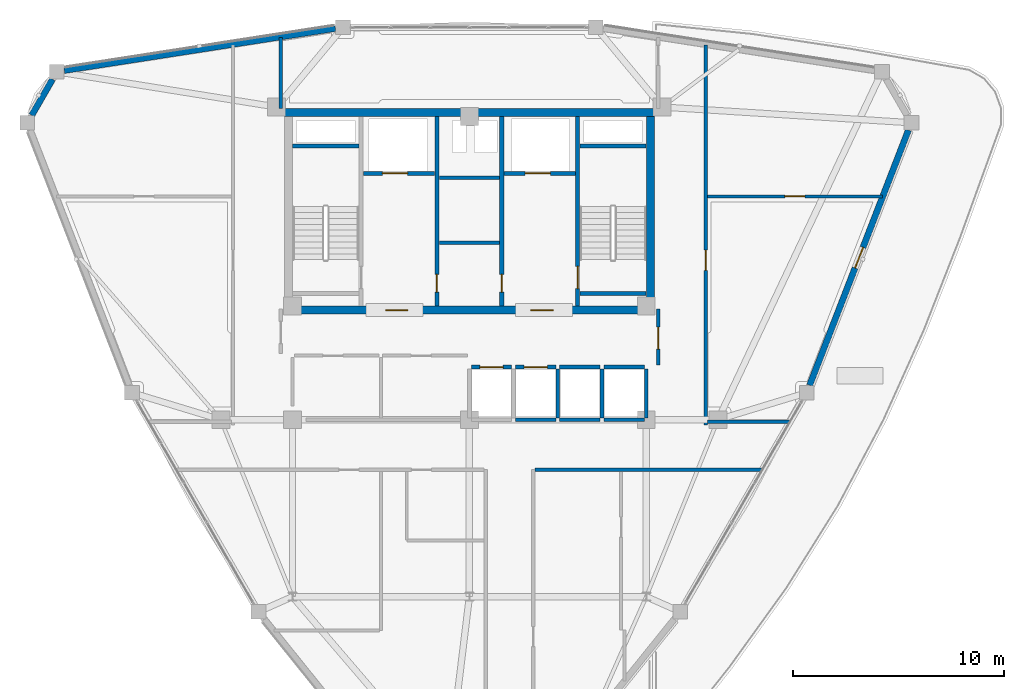
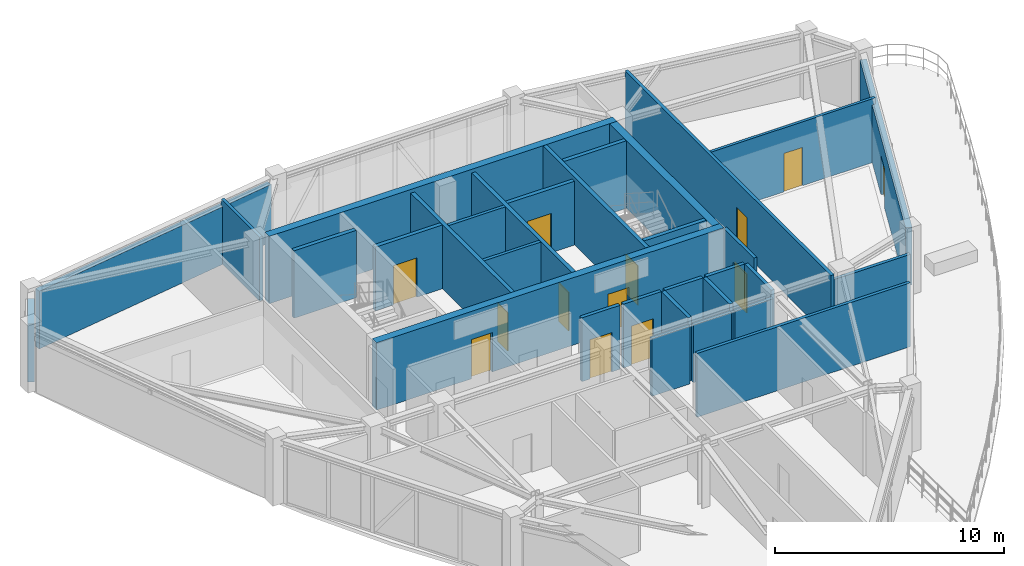
# One storey, part 12 of 16: 32 walls, 13 doors, 13 openings.
"""IFC4 building model written with IfcOpenShell, lengths in metres."""

from ifc_helpers import new_model, si_unit, derived_unit, direction, frame, frame_2d, origin, place, context, subcontext, project, spatial, rectangle, extrude, material, layer, layer_set, type_object, element, fill, save


model = new_model("IFC4")

# Units and contexts
model_context = context("Model", 3, precision=1e-05, world=origin(), true_north=direction((0.0, 1.0)))
body_context = subcontext(model_context, "Body", "Model", "MODEL_VIEW")
ifc_project = project(units=[si_unit("LENGTHUNIT", "METRE"), si_unit("AREAUNIT", "SQUARE_METRE"), si_unit("VOLUMEUNIT", "CUBIC_METRE"), si_unit("PLANEANGLEUNIT", "RADIAN"), si_unit("MASSUNIT", "GRAM", prefix="KILO"), derived_unit("THERMALTRANSMITTANCEUNIT", [(si_unit("POWERUNIT", "WATT"), 1), (si_unit("LENGTHUNIT", "METRE"), -2), (si_unit("THERMODYNAMICTEMPERATUREUNIT", "KELVIN"), -1)])], contexts=[model_context])

# Site, building, storey
site_placement = place(None, origin())
site = spatial("IfcSite", under=ifc_project, at=site_placement, CompositionType="ELEMENT")
building_placement = place(site_placement, origin())
building = spatial("IfcBuilding", under=site, at=building_placement, Name="Korsvarv Bourse and Concert Hall", CompositionType="ELEMENT")
storey_placement = place(building_placement, frame((0.0, 0.0, 243.0)))
storey = spatial("IfcBuildingStorey", under=building, at=storey_placement, Name="L63", CompositionType="ELEMENT", Elevation=243.0)

# Wall
ifc_material_1 = material(Name="Concrete C50/60", Category="concrete")
ifc_layer_1 = layer(ifc_material_1, 0.3798828125)
ifc_layer_set_1 = layer_set([ifc_layer_1], Name="Concrete C50/60")
wall_type_1 = type_object("IfcWallType", Name="WL-CORE-380", PredefinedType="SHEAR", material=ifc_layer_set_1)
wall_1_placement = place(storey_placement, frame((27.219970703125, 46.989990234375, 0.0), z_axis=(0.0, 0.0, 1.0), x_axis=(1.0, 0.0, 0.0)))
element("IfcWall", 1, at=wall_1_placement, inside=storey, type_object=wall_type_1, Name="L63 North Core Shear Wall", PredefinedType="SHEAR", context=body_context, shape_type="SweptSolid", body=[
    extrude(rectangle(XDim=17.56005859375, YDim=0.3798828125, at=frame_2d((8.780029296875, 0.0))), origin(), (0.0, 0.0, 1.0), 3.60009765625),
])

# Wall, openings, doors
wall_2_placement = place(storey_placement, frame((27.219970703125, 37.610107421875, 0.0), z_axis=(0.0, 0.0, 1.0), x_axis=(1.0, 0.0, 0.0)))
wall_2 = element("IfcWall", 2, at=wall_2_placement, inside=storey, type_object=wall_type_1, Name="L63 South Core Shear Wall", PredefinedType="SHEAR", context=body_context, shape_type="SweptSolid", body=[
    extrude(rectangle(XDim=17.56005859375, YDim=0.3798828125, at=frame_2d((8.780029296875, 0.0))), origin(), (0.0, 0.0, 1.0), 3.60009765625),
])
opening_1_placement = place(wall_2_placement, frame((4.804931640625, 0.0, 0.0)))
opening_1 = element("IfcOpeningElement", 3, at=opening_1_placement, cuts=wall_2, Name="Opening D-01", PredefinedType="OPENING", context=body_context, shape_type="SweptSolid", body=[
    extrude(rectangle(XDim=1.050048828125, YDim=2.10009765625, at=frame_2d((0.52490234375, 1.050048828125))), frame((0.0, 0.199951171875, 0.0), z_axis=(0.0, -1.0, 0.0), x_axis=(1.0, 0.0, 0.0)), (0.0, 0.0, 1.0), 0.39990234375),
])
opening_2_placement = place(wall_2_placement, frame((11.705078125, 0.0, 0.0)))
opening_2 = element("IfcOpeningElement", 4, at=opening_2_placement, cuts=wall_2, Name="Opening D-01", PredefinedType="OPENING", context=body_context, shape_type="SweptSolid", body=[
    extrude(rectangle(XDim=1.050048828125, YDim=2.10009765625, at=frame_2d((0.52490234375, 1.050048828125))), frame((0.0, 0.199951171875, 0.0), z_axis=(0.0, -1.0, 0.0), x_axis=(1.0, 0.0, 0.0)), (0.0, 0.0, 1.0), 0.39990234375),
])
ifc_material_2 = material(Name="Steel S355 fire door", Category="steel")
door_type_1 = type_object("IfcDoorType", Name="DR-FD60", OperationType="NOTDEFINED", PredefinedType="DOOR", material=ifc_material_2)
door_1_placement = place(opening_1_placement, frame((1.050048828125, 0.0, 0.0), z_axis=(0.0, 0.0, 1.0), x_axis=(-1.0, 0.0, 0.0)))
door_1 = element("IfcDoor", 5, at=door_1_placement, inside=storey, type_object=door_type_1, Name="L63 firefighting lobby fire door DR-L63-FFLW", OperationType="SINGLE_SWING_RIGHT", OverallHeight=2.10009765625, OverallWidth=1.050048828125, PredefinedType="DOOR", context=body_context, shape_type="SweptSolid", body=[
    extrude(rectangle(XDim=1.050048828125, YDim=2.10009765625, at=frame_2d((0.52490234375, 1.050048828125))), frame((0.0, 0.02490234375, 0.0), z_axis=(0.0, -1.0, 0.0), x_axis=(1.0, 0.0, 0.0)), (0.0, 0.0, 1.0), 0.050048828125),
])
fill(opening_1, door_1)
door_2_placement = place(opening_2_placement, frame((1.050048828125, 0.0, 0.0), z_axis=(0.0, 0.0, 1.0), x_axis=(-1.0, 0.0, 0.0)))
door_2 = element("IfcDoor", 6, at=door_2_placement, inside=storey, type_object=door_type_1, Name="L63 firefighting lobby fire door DR-L63-FFLE", OperationType="SINGLE_SWING_LEFT", OverallHeight=2.10009765625, OverallWidth=1.050048828125, PredefinedType="DOOR", context=body_context, shape_type="SweptSolid", body=[
    extrude(rectangle(XDim=1.050048828125, YDim=2.10009765625, at=frame_2d((0.52490234375, 1.050048828125))), frame((0.0, 0.02490234375, 0.0), z_axis=(0.0, -1.0, 0.0), x_axis=(1.0, 0.0, 0.0)), (0.0, 0.0, 1.0), 0.050048828125),
])
fill(opening_2, door_2)

# Walls
wall_3_placement = place(storey_placement, frame((44.590087890625, 37.800048828125, 0.0), z_axis=(0.0, 0.0, 1.0), x_axis=(0.0, 1.0, 0.0)))
element("IfcWall", 7, at=wall_3_placement, inside=storey, type_object=wall_type_1, Name="L63 East Core Shear Wall", PredefinedType="SHEAR", context=body_context, shape_type="SweptSolid", body=[
    extrude(rectangle(XDim=9.0, YDim=0.3798828125, at=frame_2d((4.5, 0.0))), origin(), (0.0, 0.0, 1.0), 3.60009765625),
])
wall_4_placement = place(storey_placement, frame((27.610107421875, 45.39990234375, 0.0), z_axis=(0.0, 0.0, 1.0), x_axis=(1.0, 0.0, 0.0)))
element("IfcWall", 8, at=wall_4_placement, inside=storey, type_object=wall_type_1, Name="L63 stair shaft structural wall W-L63-ST1-N", PredefinedType="SHEAR", context=body_context, shape_type="SweptSolid", body=[
    extrude(rectangle(XDim=3.139892578125, YDim=0.199951171875, at=frame_2d((1.56982421875, 0.0))), origin(), (0.0, 0.0, 1.0), 3.60009765625),
])

# Wall, opening, door
wall_5_placement = place(storey_placement, frame((41.139892578125, 37.81005859375, 0.0), z_axis=(0.0, 0.0, 1.0), x_axis=(0.0, 1.0, 0.0)))
wall_5 = element("IfcWall", 9, at=wall_5_placement, inside=storey, type_object=wall_type_1, Name="L63 stair shaft structural wall W-L63-ST2-W", PredefinedType="SHEAR", context=body_context, shape_type="SweptSolid", body=[
    extrude(rectangle(XDim=8.97998046875, YDim=0.199951171875, at=frame_2d((4.489990234375, 0.0))), origin(), (0.0, 0.0, 1.0), 3.60009765625),
])
opening_3_placement = place(wall_5_placement, frame((0.820068359375, 0.0, 0.0)))
opening_3 = element("IfcOpeningElement", 10, at=opening_3_placement, cuts=wall_5, Name="Opening D-01", PredefinedType="OPENING", context=body_context, shape_type="SweptSolid", body=[
    extrude(rectangle(XDim=1.050048828125, YDim=2.10009765625, at=frame_2d((0.52490234375, 1.050048828125))), frame((0.0, 0.10986328125, 0.0), z_axis=(0.0, -1.0, 0.0), x_axis=(1.0, 0.0, 0.0)), (0.0, 0.0, 1.0), 0.219970703125),
])
door_3_placement = place(opening_3_placement, frame((1.050048828125, 0.0, 0.0), z_axis=(0.0, 0.0, 1.0), x_axis=(-1.0, 0.0, 0.0)))
door_3 = element("IfcDoor", 11, at=door_3_placement, inside=storey, type_object=door_type_1, Name="L63 interior door DR-L63-ST2", OperationType="SINGLE_SWING_LEFT", OverallHeight=2.10009765625, OverallWidth=1.050048828125, PredefinedType="DOOR", context=body_context, shape_type="SweptSolid", body=[
    extrude(rectangle(XDim=1.050048828125, YDim=2.10009765625, at=frame_2d((0.52490234375, 1.050048828125))), frame((0.0, 0.02490234375, 0.0), z_axis=(0.0, -1.0, 0.0), x_axis=(1.0, 0.0, 0.0)), (0.0, 0.0, 1.0), 0.050048828125),
])
fill(opening_3, door_3)

# Walls
for number, where, z_axis, x_axis, name in (
    (12, (41.25, 45.39990234375, 0.0), (0.0, 0.0, 1.0), (1.0, 0.0, 0.0), "L63 stair shaft structural wall W-L63-ST2-N"),
    (13, (41.25, 38.39990234375, 0.0), (0.0, 0.0, 1.0), (1.0, 0.0, 0.0), "L63 stair shaft structural wall W-L63-ST2-S"),
):
    element("IfcWall", number, at=place(storey_placement, frame(where, z_axis=z_axis, x_axis=x_axis)), inside=storey, type_object=wall_type_1, Name=name, PredefinedType="SHEAR", context=body_context, shape_type="SweptSolid", body=[
        extrude(rectangle(XDim=3.139892578125, YDim=0.199951171875, at=frame_2d((1.56982421875, 0.0))), origin(), (0.0, 0.0, 1.0), 3.60009765625),
    ])
ifc_material_3 = material(Name="Precast concrete C45/55 with terracotta rainscreen", Category="concrete")
ifc_layer_2 = layer(ifc_material_3, 0.300048828125)
ifc_layer_set_2 = layer_set([ifc_layer_2], Name="Precast concrete C45/55 with terracotta rainscreen")
wall_type_2 = type_object("IfcWallType", Name="WL-EXT-TC1", PredefinedType="SOLIDWALL", material=ifc_layer_set_2)
wall_6_placement = place(storey_placement, frame((16.20458984375, 48.569091796875, 0.0), z_axis=(0.0, 0.0, 1.0), x_axis=(-0.499915072674, -0.866074431047, 0.0)))
element("IfcWall", 14, at=wall_6_placement, inside=storey, type_object=wall_type_2, Name="L63 terracotta exterior wall EW-L63-B05", PredefinedType="SOLIDWALL", context=body_context, shape_type="SweptSolid", body=[
    extrude(rectangle(XDim=1.974853515625, YDim=0.300048828125, at=frame_2d((0.9873046875, 0.0))), origin(), (0.0, 0.0, 1.0), 3.080078125),
])

# Wall, opening, door
wall_7_placement = place(storey_placement, frame((52.158447265625, 34.03857421875, 0.0), z_axis=(0.0, 0.0, 1.0), x_axis=(0.361269378379, 0.93246149317, 0.0)))
wall_7 = element("IfcWall", 15, at=wall_7_placement, inside=storey, type_object=wall_type_2, Name="L63 terracotta exterior wall EW-L63-B12", PredefinedType="SOLIDWALL", context=body_context, shape_type="SweptSolid", body=[
    extrude(rectangle(XDim=12.9873046875, YDim=0.300048828125, at=frame_2d((6.49365234375, 0.0))), origin(), (0.0, 0.0, 1.0), 3.080078125),
])
opening_4_placement = place(wall_7_placement, frame((5.968505859375, 0.0, 0.0)))
opening_4 = element("IfcOpeningElement", 16, at=opening_4_placement, cuts=wall_7, Name="Opening ED-02", PredefinedType="OPENING", context=body_context, shape_type="SweptSolid", body=[
    extrude(rectangle(XDim=1.050048828125, YDim=2.10009765625, at=frame_2d((0.52490234375, 1.050048828125))), frame((0.0, 0.16015625, 0.0), z_axis=(0.0, -1.0, 0.0), x_axis=(1.0, 0.0, 0.0)), (0.0, 0.0, 1.0), 0.320068359375),
])
ifc_material_4 = material(Name="Thermally broken anodised aluminium and laminated safety glass", Category="aluminium")
door_type_2 = type_object("IfcDoorType", Name="DR-EXT-TERR", OperationType="NOTDEFINED", PredefinedType="DOOR", material=ifc_material_4)
door_4_placement = place(opening_4_placement, frame((1.050048828125, 0.0, 0.0), z_axis=(0.0, 0.0, 1.0), x_axis=(-1.0, 0.0, 0.0)))
door_4 = element("IfcDoor", 17, at=door_4_placement, inside=storey, type_object=door_type_2, Name="L63 Sky Garden Terrace Access Door", OperationType="SINGLE_SWING_LEFT", OverallHeight=2.10009765625, OverallWidth=1.050048828125, PredefinedType="DOOR", context=body_context, shape_type="SweptSolid", body=[
    extrude(rectangle(XDim=1.050048828125, YDim=2.10009765625, at=frame_2d((0.52490234375, 1.050048828125))), frame((0.0, 0.02490234375, 0.0), z_axis=(0.0, -1.0, 0.0), x_axis=(1.0, 0.0, 0.0)), (0.0, 0.0, 1.0), 0.050048828125),
])
fill(opening_4, door_4)

# Wall
ifc_material_5 = material(Name="Precast concrete C45/55 with fluted terracotta pier", Category="concrete")
ifc_layer_3 = layer(ifc_material_5, 0.280029296875)
ifc_layer_set_3 = layer_set([ifc_layer_3], Name="Precast concrete C45/55 with fluted terracotta pier")
wall_type_3 = type_object("IfcWallType", Name="WL-EXT-TC2", PredefinedType="SOLIDWALL", material=ifc_layer_set_3)
wall_8_placement = place(storey_placement, frame((29.640625, 50.9775390625, 0.0), z_axis=(0.0, 0.0, 1.0), x_axis=(-0.988170476673, -0.153359411293, 0.0)))
element("IfcWall", 18, at=wall_8_placement, inside=storey, type_object=wall_type_3, Name="L63 terracotta exterior wall EW-L63-B04", PredefinedType="SOLIDWALL", context=body_context, shape_type="SweptSolid", body=[
    extrude(rectangle(XDim=13.030029296875, YDim=0.280029296875, at=frame_2d((6.51513671875, 0.0))), origin(), (0.0, 0.0, 1.0), 3.080078125),
])

# Wall, opening, door
ifc_material_6 = material(Name="Reinforced concrete blockwork C35/45 fire wall", Category="concrete")
ifc_layer_4 = layer(ifc_material_6, 0.199951171875)
ifc_layer_set_4 = layer_set([ifc_layer_4], Name="Reinforced concrete blockwork C35/45 fire wall")
wall_type_4 = type_object("IfcWallType", Name="WL-INT-EI120", PredefinedType="PARTITIONING", material=ifc_layer_set_4)
wall_9_placement = place(storey_placement, frame((30.969970703125, 44.10009765625, 0.0), z_axis=(0.0, 0.0, 1.0), x_axis=(1.0, 0.0, 0.0)))
wall_9 = element("IfcWall", 19, at=wall_9_placement, inside=storey, type_object=wall_type_4, Name="L63 interior partition wall W-L63-FF1-S", PredefinedType="PARTITIONING", context=body_context, shape_type="SweptSolid", body=[
    extrude(rectangle(XDim=3.380126953125, YDim=0.199951171875, at=frame_2d((1.68994140625, 0.0))), origin(), (0.0, 0.0, 1.0), 3.409912109375),
])
opening_5_placement = place(wall_9_placement, frame((0.89990234375, 0.0, 0.0)))
opening_5 = element("IfcOpeningElement", 20, at=opening_5_placement, cuts=wall_9, Name="Opening LD-1", PredefinedType="OPENING", context=body_context, shape_type="SweptSolid", body=[
    extrude(rectangle(XDim=1.199951171875, YDim=2.10009765625, at=frame_2d((0.60009765625, 1.050048828125))), frame((0.0, 0.10986328125, 0.0), z_axis=(0.0, -1.0, 0.0), x_axis=(1.0, 0.0, 0.0)), (0.0, 0.0, 1.0), 0.219970703125),
])
ifc_material_7 = material(Name="Stainless Steel S355 firefighting lift landing door", Category="steel")
door_type_3 = type_object("IfcDoorType", Name="DR-LIFT-FF", OperationType="DOUBLE_DOOR_SLIDING", PredefinedType="DOOR", material=ifc_material_7)
door_5_placement = place(opening_5_placement, origin())
door_5 = element("IfcDoor", 21, at=door_5_placement, inside=storey, type_object=door_type_3, Name="L63 lift sliding landing door LD-L63-FF1", OperationType="DOUBLE_DOOR_SLIDING", OverallHeight=2.10009765625, OverallWidth=1.199951171875, PredefinedType="DOOR", context=body_context, shape_type="SweptSolid", body=[
    extrude(rectangle(XDim=1.199951171875, YDim=2.10009765625, at=frame_2d((0.60009765625, 1.050048828125))), frame((0.0, 0.02490234375, 0.0), z_axis=(0.0, -1.0, 0.0), x_axis=(1.0, 0.0, 0.0)), (0.0, 0.0, 1.0), 0.050048828125),
])
fill(opening_5, door_5)

wall_10_placement = place(storey_placement, frame((37.64990234375, 44.10009765625, 0.0), z_axis=(0.0, 0.0, 1.0), x_axis=(1.0, 0.0, 0.0)))
wall_10 = element("IfcWall", 22, at=wall_10_placement, inside=storey, type_object=wall_type_4, Name="L63 interior partition wall W-L63-FF2-S", PredefinedType="PARTITIONING", context=body_context, shape_type="SweptSolid", body=[
    extrude(rectangle(XDim=3.380126953125, YDim=0.199951171875, at=frame_2d((1.68994140625, 0.0))), origin(), (0.0, 0.0, 1.0), 3.409912109375),
])
opening_6_placement = place(wall_10_placement, frame((1.0, 0.0, 0.0)))
opening_6 = element("IfcOpeningElement", 23, at=opening_6_placement, cuts=wall_10, Name="Opening LD-1", PredefinedType="OPENING", context=body_context, shape_type="SweptSolid", body=[
    extrude(rectangle(XDim=1.199951171875, YDim=2.10009765625, at=frame_2d((0.60009765625, 1.050048828125))), frame((0.0, 0.10986328125, 0.0), z_axis=(0.0, -1.0, 0.0), x_axis=(1.0, 0.0, 0.0)), (0.0, 0.0, 1.0), 0.219970703125),
])
door_6_placement = place(opening_6_placement, origin())
door_6 = element("IfcDoor", 24, at=door_6_placement, inside=storey, type_object=door_type_3, Name="L63 lift sliding landing door LD-L63-FF2", OperationType="DOUBLE_DOOR_SLIDING", OverallHeight=2.10009765625, OverallWidth=1.199951171875, PredefinedType="DOOR", context=body_context, shape_type="SweptSolid", body=[
    extrude(rectangle(XDim=1.199951171875, YDim=2.10009765625, at=frame_2d((0.60009765625, 1.050048828125))), frame((0.0, 0.02490234375, 0.0), z_axis=(0.0, -1.0, 0.0), x_axis=(1.0, 0.0, 0.0)), (0.0, 0.0, 1.0), 0.050048828125),
])
fill(opening_6, door_6)

wall_11_placement = place(storey_placement, frame((34.4599609375, 37.81005859375, 0.0), z_axis=(0.0, 0.0, 1.0), x_axis=(0.0, 1.0, 0.0)))
wall_11 = element("IfcWall", 25, at=wall_11_placement, inside=storey, type_object=wall_type_4, Name="L63 interior partition wall W-L63-CSB-W", PredefinedType="PARTITIONING", context=body_context, shape_type="SweptSolid", body=[
    extrude(rectangle(XDim=8.97998046875, YDim=0.199951171875, at=frame_2d((4.489990234375, 0.0))), origin(), (0.0, 0.0, 1.0), 3.409912109375),
])
opening_7_placement = place(wall_11_placement, frame((0.64990234375, 0.0, 0.0)))
opening_7 = element("IfcOpeningElement", 26, at=opening_7_placement, cuts=wall_11, Name="Opening D-05", PredefinedType="OPENING", context=body_context, shape_type="SweptSolid", body=[
    extrude(rectangle(XDim=0.85009765625, YDim=2.050048828125, at=frame_2d((0.425048828125, 1.02490234375))), frame((0.0, 0.10986328125, 0.0), z_axis=(0.0, -1.0, 0.0), x_axis=(1.0, 0.0, 0.0)), (0.0, 0.0, 1.0), 0.219970703125),
])
door_type_4 = type_object("IfcDoorType", Name="DR-FD60-850X2050", OperationType="NOTDEFINED", PredefinedType="DOOR", material=ifc_material_2)
door_7_placement = place(opening_7_placement, frame((0.85009765625, 0.0, 0.0), z_axis=(0.0, 0.0, 1.0), x_axis=(-1.0, 0.0, 0.0)))
door_7 = element("IfcDoor", 27, at=door_7_placement, inside=storey, type_object=door_type_4, Name="L63 interior door DR-L63-CSB1", OperationType="SINGLE_SWING_RIGHT", OverallHeight=2.050048828125, OverallWidth=0.85009765625, PredefinedType="DOOR", context=body_context, shape_type="SweptSolid", body=[
    extrude(rectangle(XDim=0.85009765625, YDim=2.050048828125, at=frame_2d((0.425048828125, 1.02490234375))), frame((0.0, 0.02490234375, 0.0), z_axis=(0.0, -1.0, 0.0), x_axis=(1.0, 0.0, 0.0)), (0.0, 0.0, 1.0), 0.050048828125),
])
fill(opening_7, door_7)

wall_12_placement = place(storey_placement, frame((37.5400390625, 37.81005859375, 0.0), z_axis=(0.0, 0.0, 1.0), x_axis=(0.0, 1.0, 0.0)))
wall_12 = element("IfcWall", 28, at=wall_12_placement, inside=storey, type_object=wall_type_4, Name="L63 interior partition wall W-L63-CSB-E", PredefinedType="PARTITIONING", context=body_context, shape_type="SweptSolid", body=[
    extrude(rectangle(XDim=8.97998046875, YDim=0.199951171875, at=frame_2d((4.489990234375, 0.0))), origin(), (0.0, 0.0, 1.0), 3.409912109375),
])
opening_8_placement = place(wall_12_placement, frame((0.64990234375, 0.0, 0.0)))
opening_8 = element("IfcOpeningElement", 29, at=opening_8_placement, cuts=wall_12, Name="Opening D-05", PredefinedType="OPENING", context=body_context, shape_type="SweptSolid", body=[
    extrude(rectangle(XDim=0.85009765625, YDim=2.050048828125, at=frame_2d((0.425048828125, 1.02490234375))), frame((0.0, 0.10986328125, 0.0), z_axis=(0.0, -1.0, 0.0), x_axis=(1.0, 0.0, 0.0)), (0.0, 0.0, 1.0), 0.219970703125),
])
door_8_placement = place(opening_8_placement, origin())
door_8 = element("IfcDoor", 30, at=door_8_placement, inside=storey, type_object=door_type_4, Name="L63 interior door DR-L63-CSB2", OperationType="SINGLE_SWING_LEFT", OverallHeight=2.050048828125, OverallWidth=0.85009765625, PredefinedType="DOOR", context=body_context, shape_type="SweptSolid", body=[
    extrude(rectangle(XDim=0.85009765625, YDim=2.050048828125, at=frame_2d((0.425048828125, 1.02490234375))), frame((0.0, 0.02490234375, 0.0), z_axis=(0.0, -1.0, 0.0), x_axis=(1.0, 0.0, 0.0)), (0.0, 0.0, 1.0), 0.050048828125),
])
fill(opening_8, door_8)

# Walls
ifc_material_8 = material(Name="Double-stud fire-rated acoustic partition", Category="gypsum")
ifc_layer_5 = layer(ifc_material_8, 0.159912109375)
ifc_layer_set_5 = layer_set([ifc_layer_5], Name="Double-stud fire-rated acoustic partition")
wall_type_5 = type_object("IfcWallType", Name="WL-INT-EI60", PredefinedType="PARTITIONING", material=ifc_layer_set_5)
for number, where, z_axis, x_axis, name in (
    (31, (34.570068359375, 40.800048828125, 0.0), (0.0, 0.0, 1.0), (1.0, 0.0, 0.0), "L63 interior partition wall W-L63-K1"),
    (32, (34.570068359375, 43.89990234375, 0.0), (0.0, 0.0, 1.0), (1.0, 0.0, 0.0), "L63 interior partition wall W-L63-K2"),
):
    element("IfcWall", number, at=place(storey_placement, frame(where, z_axis=z_axis, x_axis=x_axis)), inside=storey, type_object=wall_type_5, Name=name, PredefinedType="PARTITIONING", context=body_context, shape_type="SweptSolid", body=[
        extrude(rectangle(XDim=2.85986328125, YDim=0.159912109375, at=frame_2d((1.429931640625, 0.0))), origin(), (0.0, 0.0, 1.0), 3.409912109375),
    ])

# Wall, opening, door
wall_13_placement = place(storey_placement, frame((44.9599609375, 35.0, 0.0), z_axis=(0.0, 0.0, 1.0), x_axis=(0.0, 1.0, 0.0)))
wall_13 = element("IfcWall", 33, at=wall_13_placement, inside=storey, type_object=wall_type_5, Name="L63 interior partition wall W-L63-LOB-E", PredefinedType="PARTITIONING", context=body_context, shape_type="SweptSolid", body=[
    extrude(rectangle(XDim=2.64990234375, YDim=0.159912109375, at=frame_2d((1.324951171875, 0.0))), origin(), (0.0, 0.0, 1.0), 3.409912109375),
])
opening_9_placement = place(wall_13_placement, frame((0.75, 0.0, 0.0)))
opening_9 = element("IfcOpeningElement", 34, at=opening_9_placement, cuts=wall_13, Name="Opening D-01", PredefinedType="OPENING", context=body_context, shape_type="SweptSolid", body=[
    extrude(rectangle(XDim=1.050048828125, YDim=2.10009765625, at=frame_2d((0.52490234375, 1.050048828125))), frame((0.0, 0.08984375, 0.0), z_axis=(0.0, -1.0, 0.0), x_axis=(1.0, 0.0, 0.0)), (0.0, 0.0, 1.0), 0.179931640625),
])
door_9_placement = place(opening_9_placement, origin())
door_9 = element("IfcDoor", 35, at=door_9_placement, inside=storey, type_object=door_type_1, Name="L63 interior door DR-L63-LOBE", OperationType="SINGLE_SWING_LEFT", OverallHeight=2.10009765625, OverallWidth=1.050048828125, PredefinedType="DOOR", context=body_context, shape_type="SweptSolid", body=[
    extrude(rectangle(XDim=1.050048828125, YDim=2.10009765625, at=frame_2d((0.52490234375, 1.050048828125))), frame((0.0, 0.02490234375, 0.0), z_axis=(0.0, -1.0, 0.0), x_axis=(1.0, 0.0, 0.0)), (0.0, 0.0, 1.0), 0.050048828125),
])
fill(opening_9, door_9)

wall_14_placement = place(storey_placement, frame((47.22509765625, 32.159912109375, 0.0), z_axis=(0.0, 0.0, 1.0), x_axis=(0.0, 1.0, 0.0)))
wall_14 = element("IfcWall", 36, at=wall_14_placement, inside=storey, type_object=wall_type_5, Name="L63 interior partition wall W-L63-TCOR-01", PredefinedType="PARTITIONING", context=body_context, shape_type="SweptSolid", body=[
    extrude(rectangle(XDim=18.04248046875, YDim=0.159912109375, at=frame_2d((9.021240234375, 0.0))), origin(), (0.0, 0.0, 1.0), 3.409912109375),
])
opening_10_placement = place(wall_14_placement, frame((7.340087890625, 0.0, 0.0)))
opening_10 = element("IfcOpeningElement", 37, at=opening_10_placement, cuts=wall_14, Name="Opening D-02", PredefinedType="OPENING", context=body_context, shape_type="SweptSolid", body=[
    extrude(rectangle(XDim=0.949951171875, YDim=2.050048828125, at=frame_2d((0.47509765625, 1.02490234375))), frame((0.0, 0.08984375, 0.0), z_axis=(0.0, -1.0, 0.0), x_axis=(1.0, 0.0, 0.0)), (0.0, 0.0, 1.0), 0.179931640625),
])
ifc_material_9 = material(Name="Timber and steel acoustic fire door", Category="wood")
door_type_5 = type_object("IfcDoorType", Name="DR-FD30", OperationType="NOTDEFINED", PredefinedType="DOOR", material=ifc_material_9)
door_10_placement = place(opening_10_placement, origin())
door_10 = element("IfcDoor", 38, at=door_10_placement, inside=storey, type_object=door_type_5, Name="L63 interior door DR-L63-TCOR-PR81", OperationType="SINGLE_SWING_RIGHT", OverallHeight=2.050048828125, OverallWidth=0.949951171875, PredefinedType="DOOR", context=body_context, shape_type="SweptSolid", body=[
    extrude(rectangle(XDim=0.949951171875, YDim=2.050048828125, at=frame_2d((0.47509765625, 1.02490234375))), frame((0.0, 0.02490234375, 0.0), z_axis=(0.0, -1.0, 0.0), x_axis=(1.0, 0.0, 0.0)), (0.0, 0.0, 1.0), 0.050048828125),
])
fill(opening_10, door_10)

# Walls
wall_15_placement = place(storey_placement, frame((39.10693359375, 30.02490234375, 0.0), z_axis=(0.0, 0.0, 1.0), x_axis=(1.0, 0.0, 0.0)))
element("IfcWall", 39, at=wall_15_placement, inside=storey, type_object=wall_type_5, Name="L63 interior partition wall W-L63-TCOR-06", PredefinedType="PARTITIONING", context=body_context, shape_type="SweptSolid", body=[
    extrude(rectangle(XDim=10.78173828125, YDim=0.159912109375, at=frame_2d((5.390869140625, 0.0))), origin(), (0.0, 0.0, 1.0), 3.409912109375),
])
wall_16_placement = place(storey_placement, frame((47.306884765625, 32.31494140625, 0.0), z_axis=(0.0, 0.0, 1.0), x_axis=(1.0, 0.0, 0.0)))
element("IfcWall", 40, at=wall_16_placement, inside=storey, type_object=wall_type_5, Name="L63 interior partition wall W-L63-TCOR-08", PredefinedType="PARTITIONING", context=body_context, shape_type="SweptSolid", body=[
    extrude(rectangle(XDim=3.90380859375, YDim=0.159912109375, at=frame_2d((1.951904296875, 0.0))), origin(), (0.0, 0.0, 1.0), 3.080078125),
])
wall_17_placement = place(storey_placement, frame((27.034912109375, 47.18310546875, 0.0), z_axis=(0.0, 0.0, 1.0), x_axis=(0.0, 1.0, 0.0)))
element("IfcWall", 41, at=wall_17_placement, inside=storey, type_object=wall_type_5, Name="L63 interior partition wall W-L63-TCOR-10", PredefinedType="PARTITIONING", context=body_context, shape_type="SweptSolid", body=[
    extrude(rectangle(XDim=3.3701171875, YDim=0.159912109375, at=frame_2d((1.68505859375, 0.0))), origin(), (0.0, 0.0, 1.0), 3.409912109375),
])

# Wall, opening, door
ifc_material_10 = material(Name="Gypsum-clad autoclaved concrete shaft wall C30/37", Category="concrete")
ifc_layer_6 = layer(ifc_material_10, 0.179931640625)
ifc_layer_set_6 = layer_set([ifc_layer_6], Name="Gypsum-clad autoclaved concrete shaft wall C30/37")
wall_type_6 = type_object("IfcWallType", Name="WL-INT-EI90", PredefinedType="PARTITIONING", material=ifc_layer_set_6)
wall_18_placement = place(storey_placement, frame((36.090087890625, 34.89990234375, 0.0), z_axis=(0.0, 0.0, 1.0), x_axis=(1.0, 0.0, 0.0)))
wall_18 = element("IfcWall", 42, at=wall_18_placement, inside=storey, type_object=wall_type_6, Name="L63 interior partition wall W-L63-SHFN-PH1", PredefinedType="PARTITIONING", context=body_context, shape_type="SweptSolid", body=[
    extrude(rectangle(XDim=1.919921875, YDim=0.179931640625, at=frame_2d((0.9599609375, 0.0))), origin(), (0.0, 0.0, 1.0), 3.409912109375),
])
opening_11_placement = place(wall_18_placement, frame((0.409912109375, 0.0, 0.0)))
opening_11 = element("IfcOpeningElement", 43, at=opening_11_placement, cuts=wall_18, Name="Opening LD-2", PredefinedType="OPENING", context=body_context, shape_type="SweptSolid", body=[
    extrude(rectangle(XDim=1.10009765625, YDim=2.10009765625, at=frame_2d((0.550048828125, 1.050048828125))), frame((0.0, 0.10009765625, 0.0), z_axis=(0.0, -1.0, 0.0), x_axis=(1.0, 0.0, 0.0)), (0.0, 0.0, 1.0), 0.199951171875),
])
ifc_material_11 = material(Name="Brushed stainless Steel S355 lift landing door", Category="steel")
door_type_6 = type_object("IfcDoorType", Name="DR-LIFT-P", OperationType="DOUBLE_DOOR_SLIDING", PredefinedType="DOOR", material=ifc_material_11)
door_11_placement = place(opening_11_placement, origin())
door_11 = element("IfcDoor", 44, at=door_11_placement, inside=storey, type_object=door_type_6, Name="L63 lift sliding landing door LD-L63-PH1", OperationType="DOUBLE_DOOR_SLIDING", OverallHeight=2.10009765625, OverallWidth=1.10009765625, PredefinedType="DOOR", context=body_context, shape_type="SweptSolid", body=[
    extrude(rectangle(XDim=1.10009765625, YDim=2.10009765625, at=frame_2d((0.550048828125, 1.050048828125))), frame((0.0, 0.02490234375, 0.0), z_axis=(0.0, -1.0, 0.0), x_axis=(1.0, 0.0, 0.0)), (0.0, 0.0, 1.0), 0.050048828125),
])
fill(opening_11, door_11)

wall_19_placement = place(storey_placement, frame((38.18994140625, 34.89990234375, 0.0), z_axis=(0.0, 0.0, 1.0), x_axis=(1.0, 0.0, 0.0)))
wall_19 = element("IfcWall", 45, at=wall_19_placement, inside=storey, type_object=wall_type_6, Name="L63 interior partition wall W-L63-SHFN-PH2", PredefinedType="PARTITIONING", context=body_context, shape_type="SweptSolid", body=[
    extrude(rectangle(XDim=1.920166015625, YDim=0.179931640625, at=frame_2d((0.9599609375, 0.0))), origin(), (0.0, 0.0, 1.0), 3.409912109375),
])
opening_12_placement = place(wall_19_placement, frame((0.409912109375, 0.0, 0.0)))
opening_12 = element("IfcOpeningElement", 46, at=opening_12_placement, cuts=wall_19, Name="Opening LD-2", PredefinedType="OPENING", context=body_context, shape_type="SweptSolid", body=[
    extrude(rectangle(XDim=1.10009765625, YDim=2.10009765625, at=frame_2d((0.550048828125, 1.050048828125))), frame((0.0, 0.10009765625, 0.0), z_axis=(0.0, -1.0, 0.0), x_axis=(1.0, 0.0, 0.0)), (0.0, 0.0, 1.0), 0.199951171875),
])
door_12_placement = place(opening_12_placement, origin())
door_12 = element("IfcDoor", 47, at=door_12_placement, inside=storey, type_object=door_type_6, Name="L63 lift sliding landing door LD-L63-PH2", OperationType="DOUBLE_DOOR_SLIDING", OverallHeight=2.10009765625, OverallWidth=1.10009765625, PredefinedType="DOOR", context=body_context, shape_type="SweptSolid", body=[
    extrude(rectangle(XDim=1.10009765625, YDim=2.10009765625, at=frame_2d((0.550048828125, 1.050048828125))), frame((0.0, 0.02490234375, 0.0), z_axis=(0.0, -1.0, 0.0), x_axis=(1.0, 0.0, 0.0)), (0.0, 0.0, 1.0), 0.050048828125),
])
fill(opening_12, door_12)

# Walls
wall_20_placement = place(storey_placement, frame((38.18994140625, 32.39990234375, 0.0), z_axis=(0.0, 0.0, 1.0), x_axis=(1.0, 0.0, 0.0)))
element("IfcWall", 48, at=wall_20_placement, inside=storey, type_object=wall_type_6, Name="L63 interior partition wall W-L63-SHFS-PH2", PredefinedType="PARTITIONING", context=body_context, shape_type="SweptSolid", body=[
    extrude(rectangle(XDim=1.920166015625, YDim=0.179931640625, at=frame_2d((0.9599609375, 0.0))), origin(), (0.0, 0.0, 1.0), 3.080078125),
])
wall_21_placement = place(storey_placement, frame((40.2900390625, 34.89990234375, 0.0), z_axis=(0.0, 0.0, 1.0), x_axis=(1.0, 0.0, 0.0)))
element("IfcWall", 49, at=wall_21_placement, inside=storey, type_object=wall_type_6, Name="L63 interior partition wall W-L63-SHFN-PO1", PredefinedType="PARTITIONING", context=body_context, shape_type="SweptSolid", body=[
    extrude(rectangle(XDim=1.919921875, YDim=0.179931640625, at=frame_2d((0.9599609375, 0.0))), origin(), (0.0, 0.0, 1.0), 3.409912109375),
])
wall_22_placement = place(storey_placement, frame((40.2900390625, 32.39990234375, 0.0), z_axis=(0.0, 0.0, 1.0), x_axis=(1.0, 0.0, 0.0)))
element("IfcWall", 50, at=wall_22_placement, inside=storey, type_object=wall_type_6, Name="L63 interior partition wall W-L63-SHFS-PO1", PredefinedType="PARTITIONING", context=body_context, shape_type="SweptSolid", body=[
    extrude(rectangle(XDim=1.919921875, YDim=0.179931640625, at=frame_2d((0.9599609375, 0.0))), origin(), (0.0, 0.0, 1.0), 3.080078125),
])
wall_23_placement = place(storey_placement, frame((40.199951171875, 32.489990234375, 0.0), z_axis=(0.0, 0.0, 1.0), x_axis=(0.0, 1.0, 0.0)))
element("IfcWall", 51, at=wall_23_placement, inside=storey, type_object=wall_type_6, Name="L63 interior partition wall W-L63-SHFW-PO1", PredefinedType="PARTITIONING", context=body_context, shape_type="SweptSolid", body=[
    extrude(rectangle(XDim=2.320068359375, YDim=0.179931640625, at=frame_2d((1.16015625, 0.0))), origin(), (0.0, 0.0, 1.0), 3.409912109375),
])
wall_24_placement = place(storey_placement, frame((42.389892578125, 34.89990234375, 0.0), z_axis=(0.0, 0.0, 1.0), x_axis=(1.0, 0.0, 0.0)))
element("IfcWall", 52, at=wall_24_placement, inside=storey, type_object=wall_type_6, Name="L63 interior partition wall W-L63-SHFN-PO2", PredefinedType="PARTITIONING", context=body_context, shape_type="SweptSolid", body=[
    extrude(rectangle(XDim=1.920166015625, YDim=0.179931640625, at=frame_2d((0.9599609375, 0.0))), origin(), (0.0, 0.0, 1.0), 3.409912109375),
])
wall_25_placement = place(storey_placement, frame((42.389892578125, 32.39990234375, 0.0), z_axis=(0.0, 0.0, 1.0), x_axis=(1.0, 0.0, 0.0)))
element("IfcWall", 53, at=wall_25_placement, inside=storey, type_object=wall_type_6, Name="L63 interior partition wall W-L63-SHFS-PO2", PredefinedType="PARTITIONING", context=body_context, shape_type="SweptSolid", body=[
    extrude(rectangle(XDim=1.920166015625, YDim=0.179931640625, at=frame_2d((0.9599609375, 0.0))), origin(), (0.0, 0.0, 1.0), 3.080078125),
])
for number, where, z_axis, x_axis, name in (
    (54, (42.300048828125, 32.489990234375, 0.0), (0.0, 0.0, 1.0), (0.0, 1.0, 0.0), "L63 interior partition wall W-L63-SHFW-PO2"),
    (55, (44.39990234375, 32.489990234375, 0.0), (0.0, 0.0, 1.0), (0.0, 1.0, 0.0), "L63 interior partition wall W-L63-SHFE-END"),
):
    element("IfcWall", number, at=place(storey_placement, frame(where, z_axis=z_axis, x_axis=x_axis)), inside=storey, type_object=wall_type_6, Name=name, PredefinedType="PARTITIONING", context=body_context, shape_type="SweptSolid", body=[
        extrude(rectangle(XDim=2.320068359375, YDim=0.179931640625, at=frame_2d((1.16015625, 0.0))), origin(), (0.0, 0.0, 1.0), 3.409912109375),
    ])

# Wall, opening, door
ifc_material_12 = material(Name="Insulated steel-stud office acoustic partition", Category="gypsum")
ifc_layer_7 = layer(ifc_material_12, 0.139892578125)
ifc_layer_set_7 = layer_set([ifc_layer_7], Name="Insulated steel-stud office acoustic partition")
wall_type_7 = type_object("IfcWallType", Name="WL-INT-P1", PredefinedType="PARTITIONING", material=ifc_layer_set_7)
wall_26_placement = place(storey_placement, frame((47.306884765625, 43.0048828125, 0.0), z_axis=(0.0, 0.0, 1.0), x_axis=(1.0, 0.0, 0.0)))
wall_26 = element("IfcWall", 56, at=wall_26_placement, inside=storey, type_object=wall_type_7, Name="L63 interior partition wall W-L63-TCOR-12", PredefinedType="PARTITIONING", context=body_context, shape_type="SweptSolid", body=[
    extrude(rectangle(XDim=8.305419921875, YDim=0.139892578125, at=frame_2d((4.15283203125, 0.0))), origin(), (0.0, 0.0, 1.0), 3.409912109375),
])
opening_13_placement = place(wall_26_placement, frame((3.67724609375, 0.0, 0.0)))
opening_13 = element("IfcOpeningElement", 57, at=opening_13_placement, cuts=wall_26, Name="Opening D-03", PredefinedType="OPENING", context=body_context, shape_type="SweptSolid", body=[
    extrude(rectangle(XDim=0.949951171875, YDim=2.050048828125, at=frame_2d((0.47509765625, 1.02490234375))), frame((0.0, 0.080078125, 0.0), z_axis=(0.0, -1.0, 0.0), x_axis=(1.0, 0.0, 0.0)), (0.0, 0.0, 1.0), 0.159912109375),
])
ifc_material_13 = material(Name="Nordic oak acoustic office door", Category="wood")
door_type_7 = type_object("IfcDoorType", Name="DR-INT-1", OperationType="NOTDEFINED", PredefinedType="DOOR", material=ifc_material_13)
door_13_placement = place(opening_13_placement, origin())
door_13 = element("IfcDoor", 58, at=door_13_placement, inside=storey, type_object=door_type_7, Name="L63 interior door DR-L63-TCOR-RM22", OperationType="SINGLE_SWING_RIGHT", OverallHeight=2.050048828125, OverallWidth=0.949951171875, PredefinedType="DOOR", context=body_context, shape_type="SweptSolid", body=[
    extrude(rectangle(XDim=0.949951171875, YDim=2.050048828125, at=frame_2d((0.47509765625, 1.02490234375))), frame((0.0, 0.02490234375, 0.0), z_axis=(0.0, -1.0, 0.0), x_axis=(1.0, 0.0, 0.0)), (0.0, 0.0, 1.0), 0.050048828125),
])
fill(opening_13, door_13)

save(model, "model.ifc")
